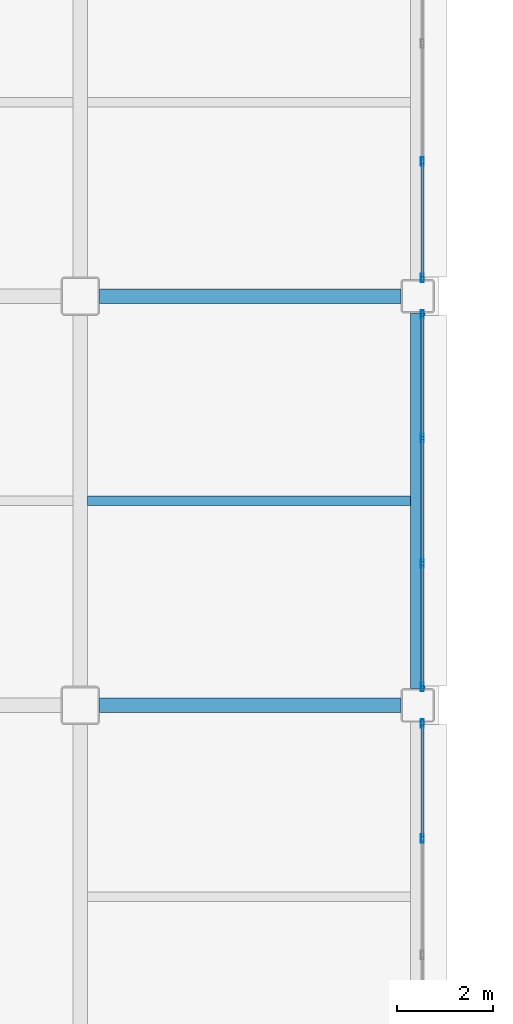
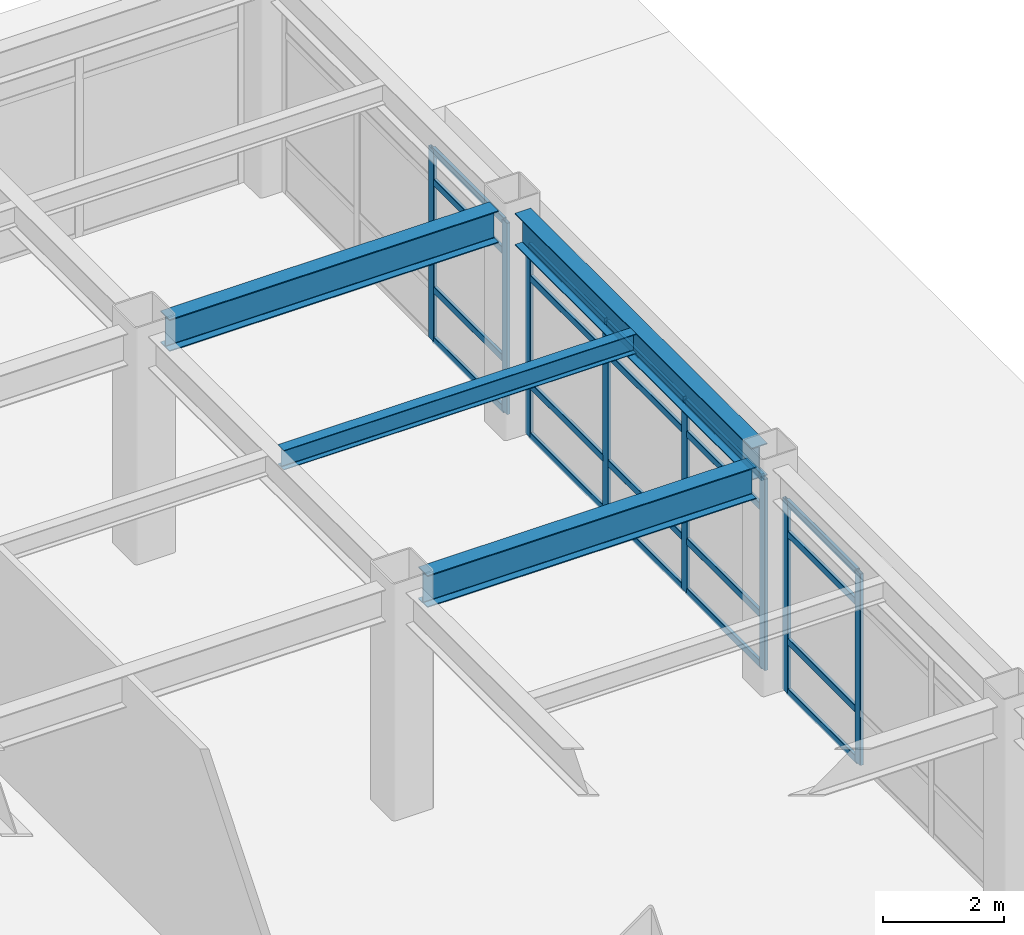
# One storey, part 121 of 172: 28 members, 4 beams, 3 elements without a shape of their own.
"""IFC4 building model written with IfcOpenShell, lengths in metres."""

from ifc_helpers import new_model, si_unit, direction, frame, origin, origin_2d, place, context, subcontext, project, spatial, hollow_rectangle, i_section, extrude, material, layer, layer_set, material_profile, profile_set, type_object, element, aggregate, save


model = new_model("IFC4")

# Units and contexts
model_context = context("Model", 3, precision=1e-05, world=origin(), true_north=direction((0.0, 1.0)))
body_context = subcontext(model_context, "Body", "Model", "MODEL_VIEW")
ifc_project = project(units=[si_unit("LENGTHUNIT", "METRE"), si_unit("AREAUNIT", "SQUARE_METRE"), si_unit("VOLUMEUNIT", "CUBIC_METRE"), si_unit("PLANEANGLEUNIT", "RADIAN"), si_unit("MASSUNIT", "GRAM", prefix="KILO")], contexts=[model_context])

# Site, building, storey
site_placement = place(None, origin())
site = spatial("IfcSite", under=ifc_project, at=site_placement, CompositionType="ELEMENT")
building_placement = place(site_placement, origin())
building = spatial("IfcBuilding", under=site, at=building_placement, Name="Kazehara Bluff Congress Hotel", CompositionType="ELEMENT")
storey_placement = place(building_placement, frame((0.0, 0.0, 5.39990234375)))
storey = spatial("IfcBuildingStorey", under=building, at=storey_placement, Name="L01", CompositionType="ELEMENT", Elevation=5.39990234375)

# Curtain wall, members
ifc_material_1 = material(Name="Anodised aluminium", Category="aluminium")
ifc_layer_1 = layer(ifc_material_1, 0.159912109375)
ifc_layer_set_1 = layer_set([ifc_layer_1], Name="Anodised aluminium")
curtain_wall_type_1 = type_object("IfcCurtainWallType", Name="TP-CW-80", PredefinedType="NOTDEFINED", material=ifc_layer_set_1)
curtain_wall_1_placement = place(storey_placement, origin())
curtain_wall_1 = element("IfcCurtainWall", 1, at=curtain_wall_1_placement, inside=storey, type_object=curtain_wall_type_1, Name="L01 curtain wall CW-80 CW-ENC-V5-L01-16765-9290", PredefinedType="NOTDEFINED")
ifc_material_2 = material(Name="Anodised aluminium", Category="aluminium")
ifc_material_profile_1 = material_profile(ifc_material_2, hollow_rectangle(XDim=0.06494140625, YDim=0.179931640625, WallThickness=0.00390625, InnerFilletRadius=0.00390625, OuterFilletRadius=0.008056640625, at=origin_2d()))
ifc_profile_set_1 = profile_set([ifc_material_profile_1], Name="Anodised aluminium")
member_type_1 = type_object("IfcMemberType", Name="TP-CWM-02", PredefinedType="MULLION", material=ifc_profile_set_1)
member_1_placement = place(storey_placement, frame((167.64990234375, 96.517578125, 0.0), z_axis=(0.0, 0.0, 1.0), x_axis=(1.0, 0.0, 0.0)))
member_1 = element("IfcMember", 2, at=member_1_placement, type_object=member_type_1, Name="CW-80 mullion 1", PredefinedType="MULLION", context=body_context, shape_type="SweptSolid", body=[
    extrude(hollow_rectangle(XDim=0.06494140625, YDim=0.179931640625, WallThickness=0.00390625, InnerFilletRadius=0.00390625, OuterFilletRadius=0.008056640625, at=origin_2d()), origin(), (0.0, 0.0, 1.0), 3.875),
])
member_2_placement = place(storey_placement, frame((167.64990234375, 94.11669921875, 0.0), z_axis=(0.0, 0.0, 1.0), x_axis=(1.0, 0.0, 0.0)))
member_2 = element("IfcMember", 3, at=member_2_placement, type_object=member_type_1, Name="CW-80 mullion 2", PredefinedType="MULLION", context=body_context, shape_type="SweptSolid", body=[
    extrude(hollow_rectangle(XDim=0.06494140625, YDim=0.179931640625, WallThickness=0.00390625, InnerFilletRadius=0.00390625, OuterFilletRadius=0.008056640625, at=origin_2d()), origin(), (0.0, 0.0, 1.0), 3.875),
])

ifc_material_3 = material(Name="Anodised aluminium", Category="aluminium")
ifc_layer_2 = layer(ifc_material_3, 0.159912109375)
ifc_layer_set_2 = layer_set([ifc_layer_2], Name="Anodised aluminium")
curtain_wall_type_2 = type_object("IfcCurtainWallType", Name="TP-CW-117", PredefinedType="NOTDEFINED", material=ifc_layer_set_2)
curtain_wall_2_placement = place(storey_placement, origin())
curtain_wall_2 = element("IfcCurtainWall", 4, at=curtain_wall_2_placement, inside=storey, type_object=curtain_wall_type_2, Name="L01 curtain wall CW-117 CW-ENC-V5-L01-16765-10118", PredefinedType="NOTDEFINED")
member_3_placement = place(storey_placement, frame((167.64990234375, 105.0673828125, 0.0), z_axis=(0.0, 0.0, 1.0), x_axis=(1.0, 0.0, 0.0)))
member_3 = element("IfcMember", 5, at=member_3_placement, type_object=member_type_1, Name="CW-117 mullion 1", PredefinedType="MULLION", context=body_context, shape_type="SweptSolid", body=[
    extrude(hollow_rectangle(XDim=0.06494140625, YDim=0.179931640625, WallThickness=0.00390625, InnerFilletRadius=0.00390625, OuterFilletRadius=0.008056640625, at=origin_2d()), origin(), (0.0, 0.0, 1.0), 3.875),
])
member_4_placement = place(storey_placement, frame((167.64990234375, 102.4833984375, 0.0), z_axis=(0.0, 0.0, 1.0), x_axis=(1.0, 0.0, 0.0)))
member_4 = element("IfcMember", 6, at=member_4_placement, type_object=member_type_1, Name="CW-117 mullion 2", PredefinedType="MULLION", context=body_context, shape_type="SweptSolid", body=[
    extrude(hollow_rectangle(XDim=0.06494140625, YDim=0.179931640625, WallThickness=0.00390625, InnerFilletRadius=0.00390625, OuterFilletRadius=0.008056640625, at=origin_2d()), origin(), (0.0, 0.0, 1.0), 3.875),
])
member_5_placement = place(storey_placement, frame((167.64990234375, 99.86669921875, 0.0), z_axis=(0.0, 0.0, 1.0), x_axis=(1.0, 0.0, 0.0)))
member_5 = element("IfcMember", 7, at=member_5_placement, type_object=member_type_1, Name="CW-117 mullion 3", PredefinedType="MULLION", context=body_context, shape_type="SweptSolid", body=[
    extrude(hollow_rectangle(XDim=0.06494140625, YDim=0.179931640625, WallThickness=0.00390625, InnerFilletRadius=0.00390625, OuterFilletRadius=0.008056640625, at=origin_2d()), origin(), (0.0, 0.0, 1.0), 3.875),
])
member_6_placement = place(storey_placement, frame((167.64990234375, 97.282470703125, 0.0), z_axis=(0.0, 0.0, 1.0), x_axis=(1.0, 0.0, 0.0)))
member_6 = element("IfcMember", 8, at=member_6_placement, type_object=member_type_1, Name="CW-117 mullion 4", PredefinedType="MULLION", context=body_context, shape_type="SweptSolid", body=[
    extrude(hollow_rectangle(XDim=0.06494140625, YDim=0.179931640625, WallThickness=0.00390625, InnerFilletRadius=0.00390625, OuterFilletRadius=0.008056640625, at=origin_2d()), origin(), (0.0, 0.0, 1.0), 3.875),
])

ifc_material_4 = material(Name="Anodised aluminium", Category="aluminium")
ifc_layer_3 = layer(ifc_material_4, 0.159912109375)
ifc_layer_set_3 = layer_set([ifc_layer_3], Name="Anodised aluminium")
curtain_wall_type_3 = type_object("IfcCurtainWallType", Name="TP-CW-34", PredefinedType="NOTDEFINED", material=ifc_layer_set_3)
curtain_wall_3_placement = place(storey_placement, origin())
curtain_wall_3 = element("IfcCurtainWall", 9, at=curtain_wall_3_placement, inside=storey, type_object=curtain_wall_type_3, Name="L01 curtain wall CW-34 CW-ENC-V5-L01-16765-10950", PredefinedType="NOTDEFINED")
member_7_placement = place(storey_placement, frame((167.64990234375, 108.2666015625, 0.0), z_axis=(0.0, 0.0, 1.0), x_axis=(1.0, 0.0, 0.0)))
member_7 = element("IfcMember", 10, at=member_7_placement, type_object=member_type_1, Name="CW-34 mullion 3", PredefinedType="MULLION", context=body_context, shape_type="SweptSolid", body=[
    extrude(hollow_rectangle(XDim=0.06494140625, YDim=0.179931640625, WallThickness=0.00390625, InnerFilletRadius=0.00390625, OuterFilletRadius=0.008056640625, at=origin_2d()), origin(), (0.0, 0.0, 1.0), 3.875),
])
member_8_placement = place(storey_placement, frame((167.64990234375, 105.83251953125, 0.0), z_axis=(0.0, 0.0, 1.0), x_axis=(1.0, 0.0, 0.0)))
member_8 = element("IfcMember", 11, at=member_8_placement, type_object=member_type_1, Name="CW-34 mullion 4", PredefinedType="MULLION", context=body_context, shape_type="SweptSolid", body=[
    extrude(hollow_rectangle(XDim=0.06494140625, YDim=0.179931640625, WallThickness=0.00390625, InnerFilletRadius=0.00390625, OuterFilletRadius=0.008056640625, at=origin_2d()), origin(), (0.0, 0.0, 1.0), 3.875),
])

# Member
ifc_material_5 = material(Name="Anodised aluminium", Category="aluminium")
ifc_material_profile_2 = material_profile(ifc_material_5, hollow_rectangle(XDim=0.06494140625, YDim=0.139892578125, WallThickness=0.00390625, InnerFilletRadius=0.00390625, OuterFilletRadius=0.008056640625, at=origin_2d()))
ifc_profile_set_2 = profile_set([ifc_material_profile_2], Name="Anodised aluminium")
member_type_2 = type_object("IfcMemberType", Name="TP-CWT-02", PredefinedType="USERDEFINED", material=ifc_profile_set_2)
member_9_placement = place(storey_placement, frame((167.64990234375, 96.485107421875, 0.03271484375), z_axis=(0.0, -1.0, 0.0), x_axis=(1.0, 0.0, 0.0)))
member_9 = element("IfcMember", 12, at=member_9_placement, type_object=member_type_2, Name="CW-80 transom 1.1", ObjectType="TRANSOM", PredefinedType="USERDEFINED", context=body_context, shape_type="SweptSolid", body=[
    extrude(hollow_rectangle(XDim=0.06494140625, YDim=0.139892578125, WallThickness=0.00390625, InnerFilletRadius=0.00390625, OuterFilletRadius=0.008056640625, at=origin_2d()), origin(), (0.0, 0.0, 1.0), 2.3359375),
])

member_10_placement = place(storey_placement, frame((167.64990234375, 96.485107421875, 1.050048828125), z_axis=(0.0, -1.0, 0.0), x_axis=(1.0, 0.0, 0.0)))
member_10 = element("IfcMember", 13, at=member_10_placement, type_object=member_type_2, Name="CW-80 transom 1.2", ObjectType="TRANSOM", PredefinedType="USERDEFINED", context=body_context, shape_type="SweptSolid", body=[
    extrude(hollow_rectangle(XDim=0.06494140625, YDim=0.139892578125, WallThickness=0.00390625, InnerFilletRadius=0.00390625, OuterFilletRadius=0.008056640625, at=origin_2d()), origin(), (0.0, 0.0, 1.0), 2.3359375),
])

member_11_placement = place(storey_placement, frame((167.64990234375, 96.485107421875, 3.22509765625), z_axis=(0.0, -1.0, 0.0), x_axis=(1.0, 0.0, 0.0)))
member_11 = element("IfcMember", 14, at=member_11_placement, type_object=member_type_2, Name="CW-80 transom 1.3", ObjectType="TRANSOM", PredefinedType="USERDEFINED", context=body_context, shape_type="SweptSolid", body=[
    extrude(hollow_rectangle(XDim=0.06494140625, YDim=0.139892578125, WallThickness=0.00390625, InnerFilletRadius=0.00390625, OuterFilletRadius=0.008056640625, at=origin_2d()), origin(), (0.0, 0.0, 1.0), 2.3359375),
])

member_12_placement = place(storey_placement, frame((167.64990234375, 96.485107421875, 3.842529296875), z_axis=(0.0, -1.0, 0.0), x_axis=(1.0, 0.0, 0.0)))
member_12 = element("IfcMember", 15, at=member_12_placement, type_object=member_type_2, Name="CW-80 transom 1.4", ObjectType="TRANSOM", PredefinedType="USERDEFINED", context=body_context, shape_type="SweptSolid", body=[
    extrude(hollow_rectangle(XDim=0.06494140625, YDim=0.139892578125, WallThickness=0.00390625, InnerFilletRadius=0.00390625, OuterFilletRadius=0.008056640625, at=origin_2d()), origin(), (0.0, 0.0, 1.0), 2.3359375),
])

aggregate(curtain_wall_1, [member_1, member_2, member_9, member_10, member_11, member_12])

member_13_placement = place(storey_placement, frame((167.64990234375, 105.034912109375, 0.03271484375), z_axis=(0.0, -1.0, 0.0), x_axis=(1.0, 0.0, 0.0)))
member_13 = element("IfcMember", 16, at=member_13_placement, type_object=member_type_2, Name="CW-117 transom 1.1", ObjectType="TRANSOM", PredefinedType="USERDEFINED", context=body_context, shape_type="SweptSolid", body=[
    extrude(hollow_rectangle(XDim=0.06494140625, YDim=0.139892578125, WallThickness=0.00390625, InnerFilletRadius=0.00390625, OuterFilletRadius=0.008056640625, at=origin_2d()), origin(), (0.0, 0.0, 1.0), 2.51904296875),
])

member_14_placement = place(storey_placement, frame((167.64990234375, 105.034912109375, 1.050048828125), z_axis=(0.0, -1.0, 0.0), x_axis=(1.0, 0.0, 0.0)))
member_14 = element("IfcMember", 17, at=member_14_placement, type_object=member_type_2, Name="CW-117 transom 1.2", ObjectType="TRANSOM", PredefinedType="USERDEFINED", context=body_context, shape_type="SweptSolid", body=[
    extrude(hollow_rectangle(XDim=0.06494140625, YDim=0.139892578125, WallThickness=0.00390625, InnerFilletRadius=0.00390625, OuterFilletRadius=0.008056640625, at=origin_2d()), origin(), (0.0, 0.0, 1.0), 2.51904296875),
])

member_15_placement = place(storey_placement, frame((167.64990234375, 105.034912109375, 3.22509765625), z_axis=(0.0, -1.0, 0.0), x_axis=(1.0, 0.0, 0.0)))
member_15 = element("IfcMember", 18, at=member_15_placement, type_object=member_type_2, Name="CW-117 transom 1.3", ObjectType="TRANSOM", PredefinedType="USERDEFINED", context=body_context, shape_type="SweptSolid", body=[
    extrude(hollow_rectangle(XDim=0.06494140625, YDim=0.139892578125, WallThickness=0.00390625, InnerFilletRadius=0.00390625, OuterFilletRadius=0.008056640625, at=origin_2d()), origin(), (0.0, 0.0, 1.0), 2.51904296875),
])

member_16_placement = place(storey_placement, frame((167.64990234375, 105.034912109375, 3.842529296875), z_axis=(0.0, -1.0, 0.0), x_axis=(1.0, 0.0, 0.0)))
member_16 = element("IfcMember", 19, at=member_16_placement, type_object=member_type_2, Name="CW-117 transom 1.4", ObjectType="TRANSOM", PredefinedType="USERDEFINED", context=body_context, shape_type="SweptSolid", body=[
    extrude(hollow_rectangle(XDim=0.06494140625, YDim=0.139892578125, WallThickness=0.00390625, InnerFilletRadius=0.00390625, OuterFilletRadius=0.008056640625, at=origin_2d()), origin(), (0.0, 0.0, 1.0), 2.51904296875),
])

member_17_placement = place(storey_placement, frame((167.64990234375, 102.450927734375, 0.03271484375), z_axis=(0.0, -1.0, 0.0), x_axis=(1.0, 0.0, 0.0)))
member_17 = element("IfcMember", 20, at=member_17_placement, type_object=member_type_2, Name="CW-117 transom 2.1", ObjectType="TRANSOM", PredefinedType="USERDEFINED", context=body_context, shape_type="SweptSolid", body=[
    extrude(hollow_rectangle(XDim=0.06494140625, YDim=0.139892578125, WallThickness=0.00390625, InnerFilletRadius=0.00390625, OuterFilletRadius=0.008056640625, at=origin_2d()), origin(), (0.0, 0.0, 1.0), 2.5517578125),
])

member_18_placement = place(storey_placement, frame((167.64990234375, 102.450927734375, 1.050048828125), z_axis=(0.0, -1.0, 0.0), x_axis=(1.0, 0.0, 0.0)))
member_18 = element("IfcMember", 21, at=member_18_placement, type_object=member_type_2, Name="CW-117 transom 2.2", ObjectType="TRANSOM", PredefinedType="USERDEFINED", context=body_context, shape_type="SweptSolid", body=[
    extrude(hollow_rectangle(XDim=0.06494140625, YDim=0.139892578125, WallThickness=0.00390625, InnerFilletRadius=0.00390625, OuterFilletRadius=0.008056640625, at=origin_2d()), origin(), (0.0, 0.0, 1.0), 2.5517578125),
])

member_19_placement = place(storey_placement, frame((167.64990234375, 102.450927734375, 3.22509765625), z_axis=(0.0, -1.0, 0.0), x_axis=(1.0, 0.0, 0.0)))
member_19 = element("IfcMember", 22, at=member_19_placement, type_object=member_type_2, Name="CW-117 transom 2.3", ObjectType="TRANSOM", PredefinedType="USERDEFINED", context=body_context, shape_type="SweptSolid", body=[
    extrude(hollow_rectangle(XDim=0.06494140625, YDim=0.139892578125, WallThickness=0.00390625, InnerFilletRadius=0.00390625, OuterFilletRadius=0.008056640625, at=origin_2d()), origin(), (0.0, 0.0, 1.0), 2.5517578125),
])

member_20_placement = place(storey_placement, frame((167.64990234375, 102.450927734375, 3.842529296875), z_axis=(0.0, -1.0, 0.0), x_axis=(1.0, 0.0, 0.0)))
member_20 = element("IfcMember", 23, at=member_20_placement, type_object=member_type_2, Name="CW-117 transom 2.4", ObjectType="TRANSOM", PredefinedType="USERDEFINED", context=body_context, shape_type="SweptSolid", body=[
    extrude(hollow_rectangle(XDim=0.06494140625, YDim=0.139892578125, WallThickness=0.00390625, InnerFilletRadius=0.00390625, OuterFilletRadius=0.008056640625, at=origin_2d()), origin(), (0.0, 0.0, 1.0), 2.5517578125),
])

member_21_placement = place(storey_placement, frame((167.64990234375, 99.834228515625, 0.03271484375), z_axis=(0.0, -1.0, 0.0), x_axis=(1.0, 0.0, 0.0)))
member_21 = element("IfcMember", 24, at=member_21_placement, type_object=member_type_2, Name="CW-117 transom 3.1", ObjectType="TRANSOM", PredefinedType="USERDEFINED", context=body_context, shape_type="SweptSolid", body=[
    extrude(hollow_rectangle(XDim=0.06494140625, YDim=0.139892578125, WallThickness=0.00390625, InnerFilletRadius=0.00390625, OuterFilletRadius=0.008056640625, at=origin_2d()), origin(), (0.0, 0.0, 1.0), 2.519287109375),
])

member_22_placement = place(storey_placement, frame((167.64990234375, 99.834228515625, 1.050048828125), z_axis=(0.0, -1.0, 0.0), x_axis=(1.0, 0.0, 0.0)))
member_22 = element("IfcMember", 25, at=member_22_placement, type_object=member_type_2, Name="CW-117 transom 3.2", ObjectType="TRANSOM", PredefinedType="USERDEFINED", context=body_context, shape_type="SweptSolid", body=[
    extrude(hollow_rectangle(XDim=0.06494140625, YDim=0.139892578125, WallThickness=0.00390625, InnerFilletRadius=0.00390625, OuterFilletRadius=0.008056640625, at=origin_2d()), origin(), (0.0, 0.0, 1.0), 2.519287109375),
])

member_23_placement = place(storey_placement, frame((167.64990234375, 99.834228515625, 3.22509765625), z_axis=(0.0, -1.0, 0.0), x_axis=(1.0, 0.0, 0.0)))
member_23 = element("IfcMember", 26, at=member_23_placement, type_object=member_type_2, Name="CW-117 transom 3.3", ObjectType="TRANSOM", PredefinedType="USERDEFINED", context=body_context, shape_type="SweptSolid", body=[
    extrude(hollow_rectangle(XDim=0.06494140625, YDim=0.139892578125, WallThickness=0.00390625, InnerFilletRadius=0.00390625, OuterFilletRadius=0.008056640625, at=origin_2d()), origin(), (0.0, 0.0, 1.0), 2.519287109375),
])

member_24_placement = place(storey_placement, frame((167.64990234375, 99.834228515625, 3.842529296875), z_axis=(0.0, -1.0, 0.0), x_axis=(1.0, 0.0, 0.0)))
member_24 = element("IfcMember", 27, at=member_24_placement, type_object=member_type_2, Name="CW-117 transom 3.4", ObjectType="TRANSOM", PredefinedType="USERDEFINED", context=body_context, shape_type="SweptSolid", body=[
    extrude(hollow_rectangle(XDim=0.06494140625, YDim=0.139892578125, WallThickness=0.00390625, InnerFilletRadius=0.00390625, OuterFilletRadius=0.008056640625, at=origin_2d()), origin(), (0.0, 0.0, 1.0), 2.519287109375),
])

aggregate(curtain_wall_2, [member_3, member_4, member_5, member_6, member_13, member_14, member_15, member_16, member_17, member_18, member_19, member_20, member_21, member_22, member_23, member_24])

member_25_placement = place(storey_placement, frame((167.64990234375, 108.234130859375, 0.03271484375), z_axis=(0.0, -1.0, 0.0), x_axis=(1.0, 0.0, 0.0)))
member_25 = element("IfcMember", 28, at=member_25_placement, type_object=member_type_2, Name="CW-34 transom 3.1", ObjectType="TRANSOM", PredefinedType="USERDEFINED", context=body_context, shape_type="SweptSolid", body=[
    extrude(hollow_rectangle(XDim=0.06494140625, YDim=0.139892578125, WallThickness=0.00390625, InnerFilletRadius=0.00390625, OuterFilletRadius=0.008056640625, at=origin_2d()), origin(), (0.0, 0.0, 1.0), 2.369140625),
])

member_26_placement = place(storey_placement, frame((167.64990234375, 108.234130859375, 1.050048828125), z_axis=(0.0, -1.0, 0.0), x_axis=(1.0, 0.0, 0.0)))
member_26 = element("IfcMember", 29, at=member_26_placement, type_object=member_type_2, Name="CW-34 transom 3.2", ObjectType="TRANSOM", PredefinedType="USERDEFINED", context=body_context, shape_type="SweptSolid", body=[
    extrude(hollow_rectangle(XDim=0.06494140625, YDim=0.139892578125, WallThickness=0.00390625, InnerFilletRadius=0.00390625, OuterFilletRadius=0.008056640625, at=origin_2d()), origin(), (0.0, 0.0, 1.0), 2.369140625),
])

member_27_placement = place(storey_placement, frame((167.64990234375, 108.234130859375, 3.22509765625), z_axis=(0.0, -1.0, 0.0), x_axis=(1.0, 0.0, 0.0)))
member_27 = element("IfcMember", 30, at=member_27_placement, type_object=member_type_2, Name="CW-34 transom 3.3", ObjectType="TRANSOM", PredefinedType="USERDEFINED", context=body_context, shape_type="SweptSolid", body=[
    extrude(hollow_rectangle(XDim=0.06494140625, YDim=0.139892578125, WallThickness=0.00390625, InnerFilletRadius=0.00390625, OuterFilletRadius=0.008056640625, at=origin_2d()), origin(), (0.0, 0.0, 1.0), 2.369140625),
])

member_28_placement = place(storey_placement, frame((167.64990234375, 108.234130859375, 3.842529296875), z_axis=(0.0, -1.0, 0.0), x_axis=(1.0, 0.0, 0.0)))
member_28 = element("IfcMember", 31, at=member_28_placement, type_object=member_type_2, Name="CW-34 transom 3.4", ObjectType="TRANSOM", PredefinedType="USERDEFINED", context=body_context, shape_type="SweptSolid", body=[
    extrude(hollow_rectangle(XDim=0.06494140625, YDim=0.139892578125, WallThickness=0.00390625, InnerFilletRadius=0.00390625, OuterFilletRadius=0.008056640625, at=origin_2d()), origin(), (0.0, 0.0, 1.0), 2.369140625),
])

aggregate(curtain_wall_3, [member_7, member_8, member_25, member_26, member_27, member_28])

# Beams
ifc_material_6 = material(Name="Steel SN490B", Category="steel")
ifc_material_profile_3 = material_profile(ifc_material_6, i_section(OverallWidth=0.300048828125, OverallDepth=0.64990234375, WebThickness=0.011962890625, FlangeThickness=0.02001953125, FilletRadius=0.012939453125, at=origin_2d()))
ifc_profile_set_3 = profile_set([ifc_material_profile_3], Name="Steel SN490B")
beam_type_1 = type_object("IfcBeamType", Name="TP-G-03", PredefinedType="BEAM", material=ifc_profile_set_3)
beam_1_placement = place(storey_placement, frame((167.550048828125, 97.25, 4.22509765625), z_axis=(0.0, 1.0, 0.0), x_axis=(-1.0, 0.0, 0.0)))
element("IfcBeam", 32, at=beam_1_placement, inside=storey, type_object=beam_type_1, Name="L01 girder G-03 269", PredefinedType="BEAM", context=body_context, shape_type="SweptSolid", body=[
    extrude(i_section(OverallWidth=0.300048828125, OverallDepth=0.64990234375, WebThickness=0.011962890625, FlangeThickness=0.02001953125, FilletRadius=0.012939453125, at=origin_2d()), origin(), (0.0, 0.0, 1.0), 7.85009765625),
])
for number, where, z_axis, x_axis, name in (
    (33, (160.89990234375, 96.89990234375, 4.22509765625), (1.0, 0.0, 0.0), (0.0, 1.0, 0.0), "L01 girder G-03 312"),
    (34, (160.89990234375, 105.449951171875, 4.22509765625), (1.0, 0.0, 0.0), (0.0, 1.0, 0.0), "L01 girder G-03 315"),
):
    element("IfcBeam", number, at=place(storey_placement, frame(where, z_axis=z_axis, x_axis=x_axis)), inside=storey, type_object=beam_type_1, Name=name, PredefinedType="BEAM", context=body_context, shape_type="SweptSolid", body=[
        extrude(i_section(OverallWidth=0.300048828125, OverallDepth=0.64990234375, WebThickness=0.011962890625, FlangeThickness=0.02001953125, FilletRadius=0.012939453125, at=origin_2d()), origin(), (0.0, 0.0, 1.0), 6.300048828125),
    ])
ifc_material_7 = material(Name="Steel SN400B", Category="steel")
ifc_material_profile_4 = material_profile(ifc_material_7, i_section(OverallWidth=0.199951171875, OverallDepth=0.39990234375, WebThickness=0.008056640625, FlangeThickness=0.012939453125, FilletRadius=0.012939453125, at=origin_2d()))
ifc_profile_set_4 = profile_set([ifc_material_profile_4], Name="Steel SN400B")
beam_type_2 = type_object("IfcBeamType", Name="TP-J-03", PredefinedType="JOIST", material=ifc_profile_set_4)
beam_2_placement = place(storey_placement, frame((160.64990234375, 101.175048828125, 4.35009765625), z_axis=(1.0, 0.0, 0.0), x_axis=(0.0, 1.0, 0.0)))
element("IfcBeam", 35, at=beam_2_placement, inside=storey, type_object=beam_type_2, Name="L01 secondary joist J-03 80", PredefinedType="JOIST", context=body_context, shape_type="SweptSolid", body=[
    extrude(i_section(OverallWidth=0.199951171875, OverallDepth=0.39990234375, WebThickness=0.008056640625, FlangeThickness=0.012939453125, FilletRadius=0.012939453125, at=origin_2d()), origin(), (0.0, 0.0, 1.0), 6.75),
])

save(model, "model.ifc")
